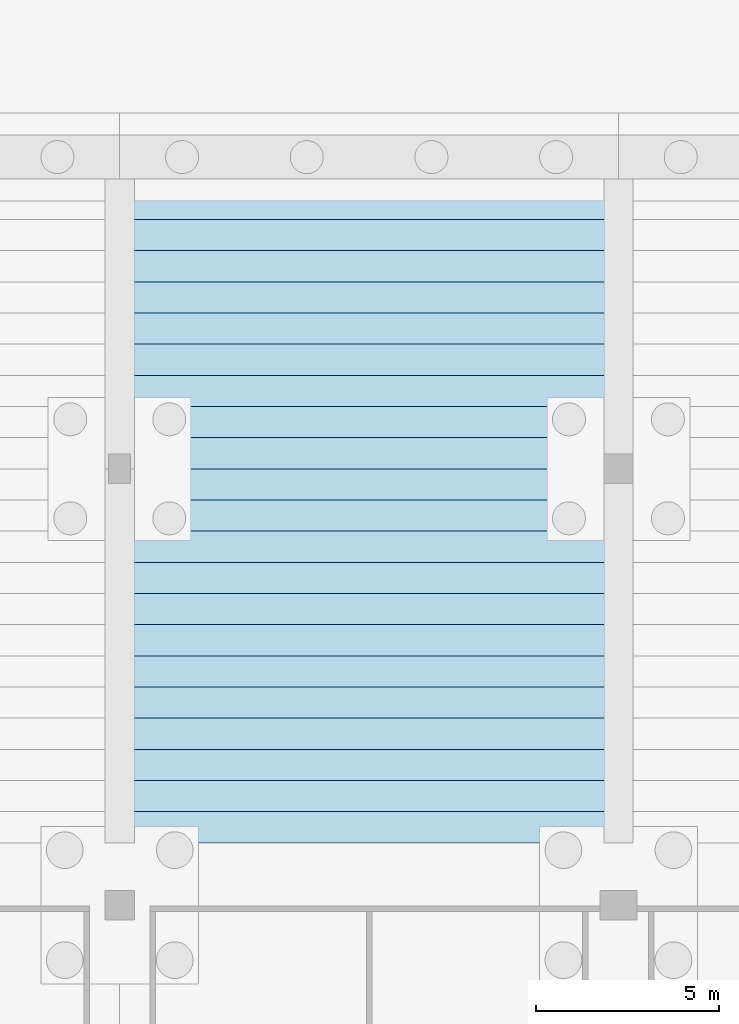
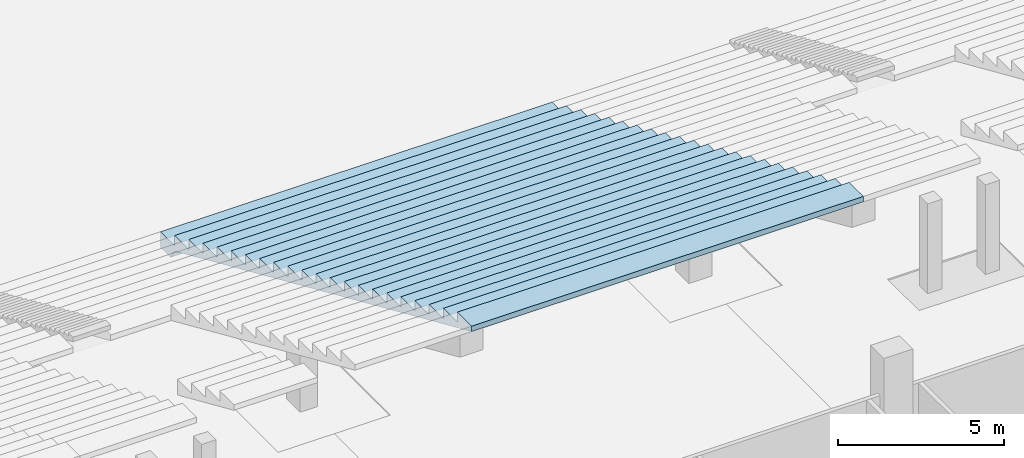
# One storey, part 45 of 115: 1 slab.
"""IFC4 building model written with IfcOpenShell, lengths in metres."""

from ifc_helpers import new_model, si_unit, direction, frame, origin, place, context, subcontext, project, spatial, faceted_brep, material, layer, layer_set, type_object, element, save


model = new_model("IFC4")

# Units and contexts
model_context = context("Model", 3, precision=1e-05, world=origin(), true_north=direction((0.0, 1.0)))
body_context = subcontext(model_context, "Body", "Model", "MODEL_VIEW")
ifc_project = project(units=[si_unit("LENGTHUNIT", "METRE"), si_unit("AREAUNIT", "SQUARE_METRE"), si_unit("VOLUMEUNIT", "CUBIC_METRE"), si_unit("PLANEANGLEUNIT", "RADIAN"), si_unit("MASSUNIT", "GRAM", prefix="KILO")], contexts=[model_context])

# Site, building, storey
site_placement = place(None, origin())
site = spatial("IfcSite", under=ifc_project, at=site_placement, CompositionType="ELEMENT")
building_placement = place(site_placement, origin())
building = spatial("IfcBuilding", under=site, at=building_placement, Name="Ogive Plaza Stadium", CompositionType="ELEMENT")
storey_placement = place(building_placement, frame((0.0, 0.0, -4.5)))
storey = spatial("IfcBuildingStorey", under=building, at=storey_placement, Name="B1", CompositionType="ELEMENT", Elevation=-4.5)

# Slab
ifc_material = material(Name="Concrete C45/55 precast", Category="concrete")
ifc_layer = layer(ifc_material, 0.574951171875)
ifc_layer_set = layer_set([ifc_layer], Name="Concrete C45/55 precast")
slab_type = type_object("IfcSlabType", Name="Seating tier LT 575", PredefinedType="USERDEFINED", material=ifc_layer_set)
slab_placement = place(storey_placement, origin())
element("IfcSlab", 1, at=slab_placement, inside=storey, type_object=slab_type, Name="Stand LT B14", ObjectType="SEATING TIER", PredefinedType="USERDEFINED", context=body_context, shape_type="Brep", body=[
    faceted_brep([(-6.800048828125, -60.0, 1.125), (-6.800048828125, -60.60009765625, 1.125), (6.800048828125, -60.60009765625, 1.125), (6.800048828125, -60.0, 1.125), (-6.800048828125, -60.85009765625, 1.125), (6.800048828125, -60.85009765625, 1.125), (-6.800048828125, -60.60009765625, 0.550048828125), (6.800048828125, -60.0, 0.550048828125), (6.800048828125, -60.60009765625, 0.550048828125), (-6.800048828125, -60.0, 0.550048828125), (6.800048828125, -60.85009765625, 0.925048828125), (6.800048828125, -60.85009765625, 1.5), (6.800048828125, -61.699951171875, 1.5), (6.800048828125, -61.699951171875, 1.300048828125), (6.800048828125, -61.699951171875, 1.875), (6.800048828125, -62.550048828125, 1.875), (6.800048828125, -62.550048828125, 1.675048828125), (6.800048828125, -62.550048828125, 2.25), (6.800048828125, -63.39990234375, 2.25), (6.800048828125, -63.39990234375, 2.050048828125), (6.800048828125, -63.39990234375, 2.625), (6.800048828125, -64.25, 2.625), (6.800048828125, -64.25, 2.425048828125), (6.800048828125, -64.25, 3.0), (6.800048828125, -65.10009765625, 3.0), (6.800048828125, -65.10009765625, 2.800048828125), (6.800048828125, -65.10009765625, 3.375), (6.800048828125, -65.949951171875, 3.375), (6.800048828125, -65.949951171875, 3.175048828125), (6.800048828125, -65.949951171875, 3.75), (6.800048828125, -66.800048828125, 3.75), (6.800048828125, -66.800048828125, 3.550048828125), (6.800048828125, -66.800048828125, 4.125), (6.800048828125, -67.64990234375, 4.125), (6.800048828125, -67.64990234375, 3.925048828125), (6.800048828125, -67.64990234375, 4.5), (6.800048828125, -68.5, 4.5), (6.800048828125, -68.5, 4.300048828125), (6.800048828125, -68.5, 4.875), (6.800048828125, -69.35009765625, 4.875), (6.800048828125, -69.35009765625, 4.675048828125), (6.800048828125, -69.35009765625, 5.25), (6.800048828125, -70.199951171875, 5.25), (6.800048828125, -70.199951171875, 5.050048828125), (6.800048828125, -70.199951171875, 5.625), (6.800048828125, -71.050048828125, 5.625), (6.800048828125, -71.050048828125, 5.425048828125), (6.800048828125, -71.050048828125, 6.0), (6.800048828125, -71.89990234375, 6.0), (6.800048828125, -71.89990234375, 5.800048828125), (6.800048828125, -71.89990234375, 6.375), (6.800048828125, -72.75, 6.375), (6.800048828125, -72.75, 6.175048828125), (6.800048828125, -72.75, 6.75), (6.800048828125, -73.60009765625, 6.75), (6.800048828125, -73.60009765625, 6.550048828125), (6.800048828125, -73.60009765625, 7.125), (6.800048828125, -74.449951171875, 7.125), (6.800048828125, -74.449951171875, 6.925048828125), (6.800048828125, -74.449951171875, 7.5), (6.800048828125, -75.300048828125, 7.5), (6.800048828125, -75.300048828125, 7.300048828125), (6.800048828125, -75.300048828125, 7.875), (6.800048828125, -76.14990234375, 7.875), (6.800048828125, -76.14990234375, 7.675048828125), (6.800048828125, -76.14990234375, 8.25), (6.800048828125, -77.0, 8.25), (6.800048828125, -77.0, 8.050048828125), (6.800048828125, -77.0, 8.625), (6.800048828125, -77.85009765625, 8.625), (6.800048828125, -77.85009765625, 8.425048828125), (6.800048828125, -77.85009765625, 9.0), (6.800048828125, -78.699951171875, 9.0), (6.800048828125, -78.699951171875, 8.800048828125), (-6.800048828125, -60.85009765625, 0.925048828125), (-6.800048828125, -61.699951171875, 1.5), (-6.800048828125, -60.85009765625, 1.5), (-6.800048828125, -61.699951171875, 1.300048828125), (-6.800048828125, -62.550048828125, 1.875), (-6.800048828125, -61.699951171875, 1.875), (-6.800048828125, -62.550048828125, 1.675048828125), (-6.800048828125, -63.39990234375, 2.25), (-6.800048828125, -62.550048828125, 2.25), (-6.800048828125, -63.39990234375, 2.050048828125), (-6.800048828125, -64.25, 2.625), (-6.800048828125, -63.39990234375, 2.625), (-6.800048828125, -64.25, 2.425048828125), (-6.800048828125, -65.10009765625, 3.0), (-6.800048828125, -64.25, 3.0), (-6.800048828125, -65.10009765625, 2.800048828125), (-6.800048828125, -65.949951171875, 3.375), (-6.800048828125, -65.10009765625, 3.375), (-6.800048828125, -65.949951171875, 3.175048828125), (-6.800048828125, -66.800048828125, 3.75), (-6.800048828125, -65.949951171875, 3.75), (-6.800048828125, -66.800048828125, 3.550048828125), (-6.800048828125, -67.64990234375, 4.125), (-6.800048828125, -66.800048828125, 4.125), (-6.800048828125, -67.64990234375, 3.925048828125), (-6.800048828125, -68.5, 4.5), (-6.800048828125, -67.64990234375, 4.5), (-6.800048828125, -68.5, 4.300048828125), (-6.800048828125, -69.35009765625, 4.875), (-6.800048828125, -68.5, 4.875), (-6.800048828125, -69.35009765625, 4.675048828125), (-6.800048828125, -70.199951171875, 5.25), (-6.800048828125, -69.35009765625, 5.25), (-6.800048828125, -70.199951171875, 5.050048828125), (-6.800048828125, -71.050048828125, 5.625), (-6.800048828125, -70.199951171875, 5.625), (-6.800048828125, -71.050048828125, 5.425048828125), (-6.800048828125, -71.89990234375, 6.0), (-6.800048828125, -71.050048828125, 6.0), (-6.800048828125, -71.89990234375, 5.800048828125), (-6.800048828125, -72.75, 6.375), (-6.800048828125, -71.89990234375, 6.375), (-6.800048828125, -72.75, 6.175048828125), (-6.800048828125, -73.60009765625, 6.75), (-6.800048828125, -72.75, 6.75), (-6.800048828125, -73.60009765625, 6.550048828125), (-6.800048828125, -74.449951171875, 7.125), (-6.800048828125, -73.60009765625, 7.125), (-6.800048828125, -74.449951171875, 6.925048828125), (-6.800048828125, -75.300048828125, 7.5), (-6.800048828125, -74.449951171875, 7.5), (-6.800048828125, -75.300048828125, 7.300048828125), (-6.800048828125, -76.14990234375, 7.875), (-6.800048828125, -75.300048828125, 7.875), (-6.800048828125, -76.14990234375, 7.675048828125), (-6.800048828125, -77.0, 8.25), (-6.800048828125, -76.14990234375, 8.25), (-6.800048828125, -77.0, 8.050048828125), (-6.800048828125, -77.85009765625, 8.625), (-6.800048828125, -77.0, 8.625), (-6.800048828125, -77.85009765625, 8.425048828125), (-6.800048828125, -78.699951171875, 9.0), (-6.800048828125, -77.85009765625, 9.0), (-6.800048828125, -78.699951171875, 8.800048828125)], [[[0, 1, 2]], [[2, 3, 0]], [[1, 4, 5]], [[5, 2, 1]], [[6, 7, 8]], [[6, 9, 7]], [[2, 8, 7]], [[7, 3, 2]], [[10, 8, 2]], [[10, 2, 5]], [[5, 11, 12]], [[12, 13, 10]], [[10, 5, 12]], [[12, 14, 15]], [[15, 16, 13]], [[13, 12, 15]], [[15, 17, 18]], [[18, 19, 16]], [[16, 15, 18]], [[18, 20, 21]], [[21, 22, 19]], [[19, 18, 21]], [[21, 23, 24]], [[24, 25, 22]], [[22, 21, 24]], [[24, 26, 27]], [[27, 28, 25]], [[25, 24, 27]], [[27, 29, 30]], [[30, 31, 28]], [[28, 27, 30]], [[30, 32, 33]], [[33, 34, 31]], [[31, 30, 33]], [[33, 35, 36]], [[36, 37, 34]], [[34, 33, 36]], [[36, 38, 39]], [[39, 40, 37]], [[37, 36, 39]], [[39, 41, 42]], [[42, 43, 40]], [[40, 39, 42]], [[42, 44, 45]], [[45, 46, 43]], [[43, 42, 45]], [[45, 47, 48]], [[48, 49, 46]], [[46, 45, 48]], [[48, 50, 51]], [[51, 52, 49]], [[49, 48, 51]], [[51, 53, 54]], [[54, 55, 52]], [[52, 51, 54]], [[54, 56, 57]], [[57, 58, 55]], [[55, 54, 57]], [[57, 59, 60]], [[60, 61, 58]], [[58, 57, 60]], [[60, 62, 63]], [[63, 64, 61]], [[61, 60, 63]], [[63, 65, 66]], [[66, 67, 64]], [[64, 63, 66]], [[66, 68, 69]], [[69, 70, 67]], [[67, 66, 69]], [[69, 71, 72]], [[72, 73, 70]], [[70, 69, 72]], [[3, 7, 9]], [[9, 0, 3]], [[0, 9, 6]], [[6, 1, 0]], [[1, 6, 74]], [[74, 4, 1]], [[75, 76, 4]], [[4, 74, 77]], [[77, 75, 4]], [[78, 79, 75]], [[75, 77, 80]], [[80, 78, 75]], [[81, 82, 78]], [[78, 80, 83]], [[83, 81, 78]], [[84, 85, 81]], [[81, 83, 86]], [[86, 84, 81]], [[87, 88, 84]], [[84, 86, 89]], [[89, 87, 84]], [[90, 91, 87]], [[87, 89, 92]], [[92, 90, 87]], [[93, 94, 90]], [[90, 92, 95]], [[95, 93, 90]], [[96, 97, 93]], [[93, 95, 98]], [[98, 96, 93]], [[99, 100, 96]], [[96, 98, 101]], [[101, 99, 96]], [[102, 103, 99]], [[99, 101, 104]], [[104, 102, 99]], [[105, 106, 102]], [[102, 104, 107]], [[107, 105, 102]], [[108, 109, 105]], [[105, 107, 110]], [[110, 108, 105]], [[111, 112, 108]], [[108, 110, 113]], [[113, 111, 108]], [[114, 115, 111]], [[111, 113, 116]], [[116, 114, 111]], [[117, 118, 114]], [[114, 116, 119]], [[119, 117, 114]], [[120, 121, 117]], [[117, 119, 122]], [[122, 120, 117]], [[123, 124, 120]], [[120, 122, 125]], [[125, 123, 120]], [[126, 127, 123]], [[123, 125, 128]], [[128, 126, 123]], [[129, 130, 126]], [[126, 128, 131]], [[131, 129, 126]], [[132, 133, 129]], [[129, 131, 134]], [[134, 132, 129]], [[135, 136, 132]], [[132, 134, 137]], [[137, 135, 132]], [[74, 8, 10]], [[74, 6, 8]], [[11, 5, 4]], [[4, 76, 11]], [[76, 75, 12]], [[12, 11, 76]], [[77, 10, 13]], [[77, 74, 10]], [[80, 13, 16]], [[80, 77, 13]], [[83, 16, 19]], [[83, 80, 16]], [[86, 19, 22]], [[86, 83, 19]], [[89, 22, 25]], [[89, 86, 22]], [[92, 25, 28]], [[92, 89, 25]], [[95, 28, 31]], [[95, 92, 28]], [[98, 31, 34]], [[98, 95, 31]], [[101, 34, 37]], [[101, 98, 34]], [[104, 37, 40]], [[104, 101, 37]], [[107, 40, 43]], [[107, 104, 40]], [[110, 43, 46]], [[110, 107, 43]], [[113, 46, 49]], [[113, 110, 46]], [[116, 49, 52]], [[116, 113, 49]], [[119, 52, 55]], [[119, 116, 52]], [[122, 55, 58]], [[122, 119, 55]], [[125, 58, 61]], [[125, 122, 58]], [[128, 61, 64]], [[128, 125, 61]], [[14, 12, 75]], [[75, 79, 14]], [[79, 78, 15]], [[15, 14, 79]], [[17, 15, 78]], [[78, 82, 17]], [[82, 81, 18]], [[18, 17, 82]], [[20, 18, 81]], [[81, 85, 20]], [[85, 84, 21]], [[21, 20, 85]], [[23, 21, 84]], [[84, 88, 23]], [[88, 87, 24]], [[24, 23, 88]], [[26, 24, 87]], [[87, 91, 26]], [[91, 90, 27]], [[27, 26, 91]], [[29, 27, 90]], [[90, 94, 29]], [[94, 93, 30]], [[30, 29, 94]], [[32, 30, 93]], [[93, 97, 32]], [[97, 96, 33]], [[33, 32, 97]], [[35, 33, 96]], [[96, 100, 35]], [[100, 99, 36]], [[36, 35, 100]], [[38, 36, 99]], [[99, 103, 38]], [[103, 102, 39]], [[39, 38, 103]], [[41, 39, 102]], [[102, 106, 41]], [[106, 105, 42]], [[42, 41, 106]], [[44, 42, 105]], [[105, 109, 44]], [[109, 108, 45]], [[45, 44, 109]], [[47, 45, 108]], [[108, 112, 47]], [[112, 111, 48]], [[48, 47, 112]], [[50, 48, 111]], [[111, 115, 50]], [[115, 114, 51]], [[51, 50, 115]], [[53, 51, 114]], [[114, 118, 53]], [[118, 117, 54]], [[54, 53, 118]], [[56, 54, 117]], [[117, 121, 56]], [[121, 120, 57]], [[57, 56, 121]], [[59, 57, 120]], [[120, 124, 59]], [[124, 123, 60]], [[60, 59, 124]], [[62, 60, 123]], [[123, 127, 62]], [[127, 126, 63]], [[63, 62, 127]], [[65, 63, 126]], [[126, 130, 65]], [[130, 129, 66]], [[66, 65, 130]], [[131, 64, 67]], [[131, 128, 64]], [[134, 67, 70]], [[134, 131, 67]], [[137, 70, 73]], [[137, 134, 70]], [[68, 66, 129]], [[129, 133, 68]], [[133, 132, 69]], [[69, 68, 133]], [[71, 69, 132]], [[132, 136, 71]], [[136, 135, 72]], [[72, 71, 136]], [[135, 137, 73]], [[73, 72, 135]]]),
])

save(model, "model.ifc")
